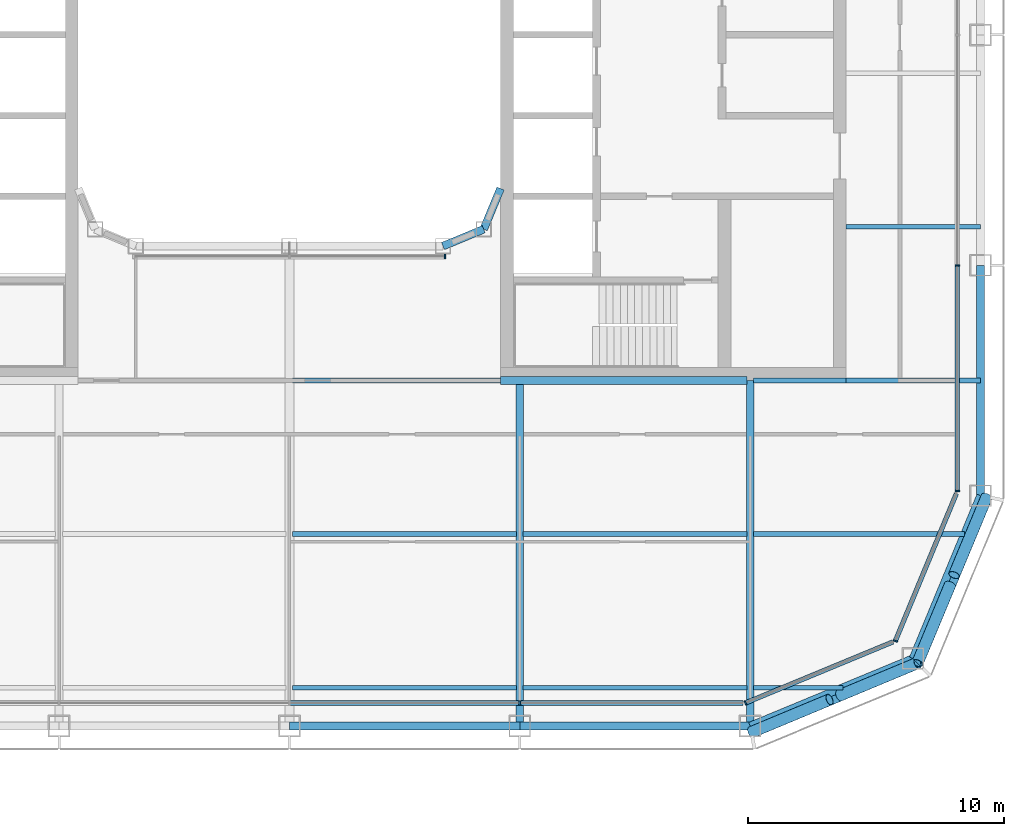
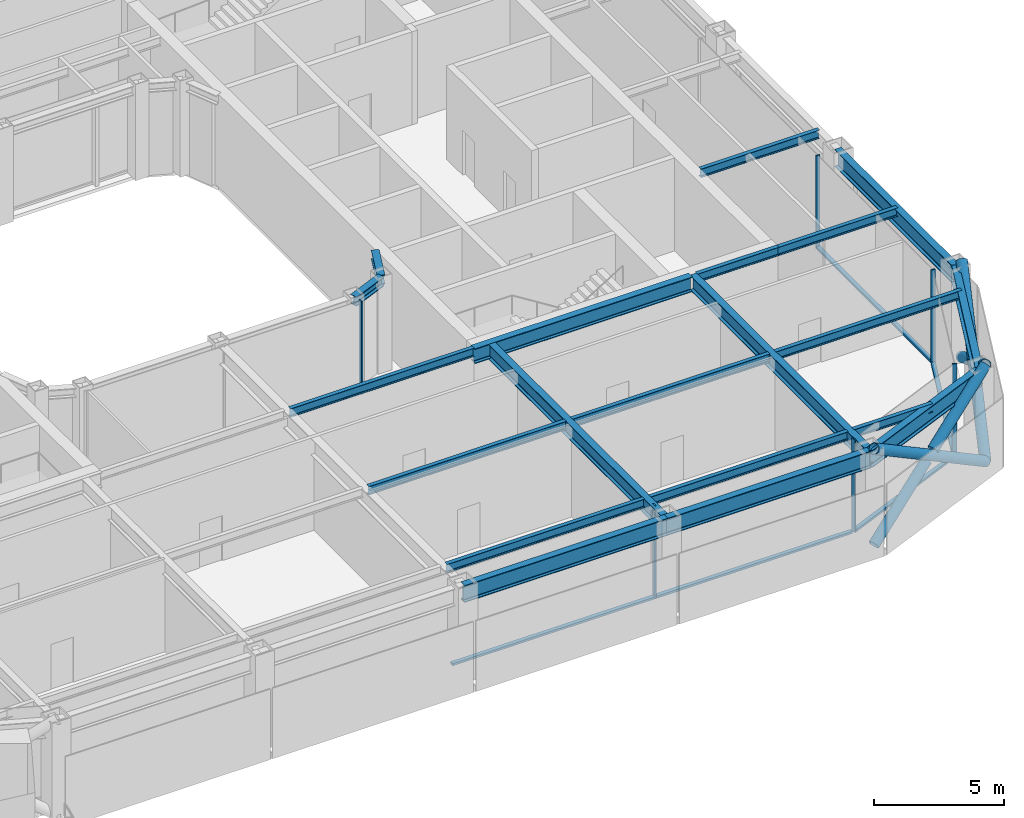
# One storey, part 4 of 23: 20 beams, 17 members, 5 elements without a shape of their own.
"""IFC4 building model written with IfcOpenShell, lengths in metres."""

from ifc_helpers import new_model, si_unit, direction, frame, origin, origin_2d, place, context, subcontext, project, spatial, rectangle, hollow_circle, i_section, extrude, material, layer, layer_set, material_profile, profile_set, type_object, element, aggregate, save


model = new_model("IFC4")

# Units and contexts
model_context = context("Model", 3, precision=1e-05, world=origin(), true_north=direction((0.0, 1.0)))
body_context = subcontext(model_context, "Body", "Model", "MODEL_VIEW")
ifc_project = project(units=[si_unit("LENGTHUNIT", "METRE"), si_unit("AREAUNIT", "SQUARE_METRE"), si_unit("VOLUMEUNIT", "CUBIC_METRE"), si_unit("PLANEANGLEUNIT", "RADIAN"), si_unit("MASSUNIT", "GRAM", prefix="KILO")], contexts=[model_context])

# Site, building, storey
site_placement = place(None, origin())
site = spatial("IfcSite", under=ifc_project, at=site_placement, CompositionType="ELEMENT")
building_placement = place(site_placement, origin())
building = spatial("IfcBuilding", under=site, at=building_placement, Name="Siwar Civic Tower", CompositionType="ELEMENT")
storey_placement = place(building_placement, frame((0.0, 0.0, 197.199951171875)))
storey = spatial("IfcBuildingStorey", under=building, at=storey_placement, Name="L42", CompositionType="ELEMENT", Elevation=197.199951171875)

# Curtain wall, member
ifc_material_1 = material(Name="Aluminium and glass", Category="aluminium")
ifc_layer_1 = layer(ifc_material_1, 0.179931640625)
ifc_layer_set_1 = layer_set([ifc_layer_1], Name="Aluminium and glass")
curtain_wall_type_1 = type_object("IfcCurtainWallType", Name="ENV-CW-C", PredefinedType="NOTDEFINED", material=ifc_layer_set_1)
curtain_wall_1_placement = place(storey_placement, origin())
curtain_wall_1 = element("IfcCurtainWall", 1, at=curtain_wall_1_placement, inside=storey, type_object=curtain_wall_type_1, Name="Curtain wall C S", PredefinedType="NOTDEFINED")
ifc_material_2 = material(Name="Aluminium 6063-T6", Category="aluminium")
ifc_material_profile_1 = material_profile(ifc_material_2, rectangle(XDim=0.179931640625, YDim=0.06005859375, at=origin_2d()), Name="AL 180x60")
ifc_profile_set_1 = profile_set([ifc_material_profile_1], Name="Aluminium 6063-T6")
member_type_1 = type_object("IfcMemberType", Name="ENV-MULLION-C", PredefinedType="MULLION", material=ifc_profile_set_1)
member_1_placement = place(storey_placement, frame((9.0, -26.10009765625, 0.0), z_axis=(0.0, 0.0, 1.0), x_axis=(0.0, 1.0, 0.0)))
member_1 = element("IfcMember", 2, at=member_1_placement, type_object=member_type_1, Name="Mullion C S 4", PredefinedType="MULLION", context=body_context, shape_type="SweptSolid", body=[
    extrude(rectangle(XDim=0.179931640625, YDim=0.06005859375, at=origin_2d()), origin(), (0.0, 0.0, 1.0), 4.35009765625),
])

ifc_material_3 = material(Name="Aluminium clad insulated panel", Category="aluminium")
ifc_layer_2 = layer(ifc_material_3, 0.179931640625)
ifc_layer_set_2 = layer_set([ifc_layer_2], Name="Aluminium clad insulated panel")
curtain_wall_type_2 = type_object("IfcCurtainWallType", Name="ENV-CW-CX", PredefinedType="NOTDEFINED", material=ifc_layer_set_2)
curtain_wall_2_placement = place(storey_placement, origin())
curtain_wall_2 = element("IfcCurtainWall", 3, at=curtain_wall_2_placement, inside=storey, type_object=curtain_wall_type_2, Name="Curtain wall C SE1", PredefinedType="NOTDEFINED")
member_2_placement = place(storey_placement, frame((17.821044921875, -26.10009765625, 0.0), z_axis=(0.0, 0.0, 1.0), x_axis=(-0.382683432365, 0.923879532511, 0.0)))
member_2 = element("IfcMember", 4, at=member_2_placement, type_object=member_type_1, Name="Mullion C SE1 1", PredefinedType="MULLION", context=body_context, shape_type="SweptSolid", body=[
    extrude(rectangle(XDim=0.179931640625, YDim=0.06005859375, at=origin_2d()), origin(), (0.0, 0.0, 1.0), 4.35009765625),
])

curtain_wall_3_placement = place(storey_placement, origin())
curtain_wall_3 = element("IfcCurtainWall", 5, at=curtain_wall_3_placement, inside=storey, type_object=curtain_wall_type_2, Name="Curtain wall C SE2", PredefinedType="NOTDEFINED")
member_3_placement = place(storey_placement, frame((23.675048828125, -23.675048828125, 0.0), z_axis=(0.0, 0.0, 1.0), x_axis=(-0.923879532511, 0.382683432365, 0.0)))
member_3 = element("IfcMember", 6, at=member_3_placement, type_object=member_type_1, Name="Mullion C SE2 1", PredefinedType="MULLION", context=body_context, shape_type="SweptSolid", body=[
    extrude(rectangle(XDim=0.179931640625, YDim=0.06005859375, at=origin_2d()), origin(), (0.0, 0.0, 1.0), 4.35009765625),
])

# Curtain wall, members
curtain_wall_4_placement = place(storey_placement, origin())
curtain_wall_4 = element("IfcCurtainWall", 7, at=curtain_wall_4_placement, inside=storey, type_object=curtain_wall_type_1, Name="Curtain wall C E", PredefinedType="NOTDEFINED")
member_4_placement = place(storey_placement, frame((26.10009765625, -17.821044921875, 0.0), z_axis=(0.0, 0.0, 1.0), x_axis=(-1.0, 0.0, 0.0)))
member_4 = element("IfcMember", 8, at=member_4_placement, type_object=member_type_1, Name="Mullion C E 1", PredefinedType="MULLION", context=body_context, shape_type="SweptSolid", body=[
    extrude(rectangle(XDim=0.179931640625, YDim=0.06005859375, at=origin_2d()), origin(), (0.0, 0.0, 1.0), 4.35009765625),
])
member_5_placement = place(storey_placement, frame((26.10009765625, -9.0, 0.0), z_axis=(0.0, 0.0, 1.0), x_axis=(-1.0, 0.0, 0.0)))
member_5 = element("IfcMember", 9, at=member_5_placement, type_object=member_type_1, Name="Mullion C E 2", PredefinedType="MULLION", context=body_context, shape_type="SweptSolid", body=[
    extrude(rectangle(XDim=0.179931640625, YDim=0.06005859375, at=origin_2d()), origin(), (0.0, 0.0, 1.0), 4.35009765625),
])

# Curtain wall, member
ifc_material_4 = material(Name="Aluminium and glass", Category="aluminium")
ifc_layer_3 = layer(ifc_material_4, 0.179931640625)
ifc_layer_set_3 = layer_set([ifc_layer_3], Name="Aluminium and glass")
curtain_wall_type_3 = type_object("IfcCurtainWallType", Name="ENV-CW-W", PredefinedType="NOTDEFINED", material=ifc_layer_set_3)
curtain_wall_5_placement = place(storey_placement, origin())
curtain_wall_5 = element("IfcCurtainWall", 10, at=curtain_wall_5_placement, inside=storey, type_object=curtain_wall_type_3, Name="Curtain wall W WS", PredefinedType="NOTDEFINED")
ifc_material_5 = material(Name="Aluminium 6063-T6", Category="aluminium")
ifc_material_profile_2 = material_profile(ifc_material_5, rectangle(XDim=0.179931640625, YDim=0.06005859375, at=origin_2d()), Name="AL 180x60")
ifc_profile_set_2 = profile_set([ifc_material_profile_2], Name="Aluminium 6063-T6")
member_type_2 = type_object("IfcMemberType", Name="ENV-MULLION-W", PredefinedType="MULLION", material=ifc_profile_set_2)
member_6_placement = place(storey_placement, frame((6.08154296875, -8.659912109375, 0.0), z_axis=(0.0, 0.0, 1.0), x_axis=(0.0, 1.0, 0.0)))
member_6 = element("IfcMember", 11, at=member_6_placement, type_object=member_type_2, Name="Mullion W WS 3", PredefinedType="MULLION", context=body_context, shape_type="SweptSolid", body=[
    extrude(rectangle(XDim=0.179931640625, YDim=0.06005859375, at=origin_2d()), origin(), (0.0, 0.0, 1.0), 4.35009765625),
])
aggregate(curtain_wall_5, [member_6])

# Member
ifc_material_6 = material(Name="Aluminium 6063-T6", Category="aluminium")
ifc_material_profile_3 = material_profile(ifc_material_6, rectangle(XDim=0.179931640625, YDim=0.10009765625, at=origin_2d()), Name="AL 180x100")
ifc_profile_set_3 = profile_set([ifc_material_profile_3], Name="Aluminium 6063-T6")
member_type_3 = type_object("IfcMemberType", Name="ENV-TRANSOM-C", PredefinedType="USERDEFINED", material=ifc_profile_set_3)
member_7_placement = place(storey_placement, frame((0.030029296875, -26.10009765625, 0.050048828125), z_axis=(1.0, 0.0, 0.0), x_axis=(0.0, 1.0, 0.0)))
member_7 = element("IfcMember", 12, at=member_7_placement, type_object=member_type_3, Name="Transom C S 3", ObjectType="TRANSOM", PredefinedType="USERDEFINED", context=body_context, shape_type="SweptSolid", body=[
    extrude(rectangle(XDim=0.179931640625, YDim=0.10009765625, at=origin_2d()), origin(), (0.0, 0.0, 1.0), 8.93994140625),
])

member_8_placement = place(storey_placement, frame((9.030029296875, -26.10009765625, 0.050048828125), z_axis=(1.0, 0.0, 0.0), x_axis=(0.0, 1.0, 0.0)))
member_8 = element("IfcMember", 13, at=member_8_placement, type_object=member_type_3, Name="Transom C S 4", ObjectType="TRANSOM", PredefinedType="USERDEFINED", context=body_context, shape_type="SweptSolid", body=[
    extrude(rectangle(XDim=0.179931640625, YDim=0.10009765625, at=origin_2d()), origin(), (0.0, 0.0, 1.0), 8.68603515625),
])

aggregate(curtain_wall_1, [member_1, member_7, member_8])

member_9_placement = place(storey_placement, frame((17.8486328125, -26.088623046875, 0.050048828125), z_axis=(0.923882011223, 0.38267744817, 0.0), x_axis=(-0.38267744817, 0.923882011223, 0.0)))
member_9 = element("IfcMember", 14, at=member_9_placement, type_object=member_type_3, Name="Transom C SE1 1", ObjectType="TRANSOM", PredefinedType="USERDEFINED", context=body_context, shape_type="SweptSolid", body=[
    extrude(rectangle(XDim=0.179931640625, YDim=0.10009765625, at=origin_2d()), origin(), (0.0, 0.0, 1.0), 6.201904296875),
])

aggregate(curtain_wall_2, [member_2, member_9])

member_10_placement = place(storey_placement, frame((23.6865234375, -23.6474609375, 0.050048828125), z_axis=(0.382691366456, 0.923876246063, 0.0), x_axis=(-0.923876246063, 0.382691366456, 0.0)))
member_10 = element("IfcMember", 15, at=member_10_placement, type_object=member_type_3, Name="Transom C SE2 1", ObjectType="TRANSOM", PredefinedType="USERDEFINED", context=body_context, shape_type="SweptSolid", body=[
    extrude(rectangle(XDim=0.179931640625, YDim=0.10009765625, at=origin_2d()), origin(), (0.0, 0.0, 1.0), 6.20166015625),
])

aggregate(curtain_wall_3, [member_3, member_10])

member_11_placement = place(storey_placement, frame((26.10009765625, -17.791015625, 0.050048828125), z_axis=(0.0, 1.0, 0.0), x_axis=(-1.0, 0.0, 0.0)))
member_11 = element("IfcMember", 16, at=member_11_placement, type_object=member_type_3, Name="Transom C E 1", ObjectType="TRANSOM", PredefinedType="USERDEFINED", context=body_context, shape_type="SweptSolid", body=[
    extrude(rectangle(XDim=0.179931640625, YDim=0.10009765625, at=origin_2d()), origin(), (0.0, 0.0, 1.0), 8.760986328125),
])

aggregate(curtain_wall_4, [member_4, member_5, member_11])

# Members
ifc_material_7 = material(Name="Steel S355", Category="steel")
ifc_material_profile_4 = material_profile(ifc_material_7, hollow_circle(Radius=0.228515625, WallThickness=0.02001953125, at=origin_2d()), Name="CHS457x20")
ifc_profile_set_4 = profile_set([ifc_material_profile_4], Name="Steel S355")
member_type_4 = type_object("IfcMemberType", Name="STR-BR-CHS457x20", PredefinedType="BRACE", material=ifc_profile_set_4)
member_12_placement = place(storey_placement, frame((24.540771484375, -24.540771484375, 0.0), z_axis=(0.323905527954, 0.777554562952, 0.538975055633), x_axis=(-0.923108759191, 0.384538969033, 0.0)))
element("IfcMember", 17, at=member_12_placement, inside=storey, type_object=member_type_4, Name="L42/brc/CSE1-2-0-1", PredefinedType="BRACE", context=body_context, shape_type="SweptSolid", body=[
    extrude(hollow_circle(Radius=0.228515625, WallThickness=0.02001953125, at=origin_2d()), origin(), (0.0, 0.0, 1.0), 8.34912109375),
])
for number, where, z_axis, x_axis, name in (
    (18, (27.2451171875, -18.048828125, 0.0), (-0.323884455881, -0.777546448489, 0.538999424564), (0.92311621485, -0.38452107079, 0.0), "L42/brc/CSE1-2-0-2"),
    (19, (25.81298828125, -21.486572265625, 2.383056640625), (-0.323895306243, -0.777572496853, 0.538955325357), (0.92311621485, -0.38452107079, 0.0), "L42/brc/CSE1-2-0-3"),
):
    element("IfcMember", number, at=place(storey_placement, frame(where, z_axis=z_axis, x_axis=x_axis)), inside=storey, type_object=member_type_4, Name=name, PredefinedType="BRACE", context=body_context, shape_type="SweptSolid", body=[
        extrude(hollow_circle(Radius=0.228515625, WallThickness=0.02001953125, at=origin_2d()), origin(), (0.0, 0.0, 1.0), 3.927978515625),
    ])
member_13_placement = place(storey_placement, frame((24.540771484375, -24.540771484375, 0.0), z_axis=(-0.777554562952, -0.323905527954, 0.538975055633), x_axis=(0.384538969033, -0.923108759191, 0.0)))
element("IfcMember", 20, at=member_13_placement, inside=storey, type_object=member_type_4, Name="L42/brc/CSE1-2-0-0", PredefinedType="BRACE", context=body_context, shape_type="SweptSolid", body=[
    extrude(hollow_circle(Radius=0.228515625, WallThickness=0.02001953125, at=origin_2d()), origin(), (0.0, 0.0, 1.0), 8.34912109375),
])
for number, where, z_axis, x_axis, name in (
    (21, (18.048828125, -27.2451171875, 0.0), (0.777546448489, 0.323884455881, 0.538999424564), (-0.38452107079, 0.92311621485, 0.0), "L42/brc/CSE1-2-0-4"),
    (22, (21.486572265625, -25.81298828125, 2.383056640625), (0.777572496853, 0.323895306243, 0.538955325357), (-0.38452107079, 0.92311621485, 0.0), "L42/brc/CSE1-2-0-5"),
):
    element("IfcMember", number, at=place(storey_placement, frame(where, z_axis=z_axis, x_axis=x_axis)), inside=storey, type_object=member_type_4, Name=name, PredefinedType="BRACE", context=body_context, shape_type="SweptSolid", body=[
        extrude(hollow_circle(Radius=0.228515625, WallThickness=0.02001953125, at=origin_2d()), origin(), (0.0, 0.0, 1.0), 3.927978515625),
    ])

# Beams
ifc_material_8 = material(Name="Steel S355", Category="steel")
ifc_material_profile_5 = material_profile(ifc_material_8, i_section(OverallWidth=0.179931640625, OverallDepth=0.39990234375, WebThickness=0.008544921875, FlangeThickness=0.013427734375, FilletRadius=0.02099609375, at=origin_2d()), Name="IPE400")
ifc_profile_set_5 = profile_set([ifc_material_profile_5], Name="Steel S355")
beam_type_1 = type_object("IfcBeamType", Name="STR-FB-IPE400", PredefinedType="JOIST", material=ifc_profile_set_5)
for number, where, z_axis, x_axis, name in (
    (23, (0.1298828125, -25.5, 4.150146484375), (1.0, 0.0, 0.0), (0.0, 1.0, 0.0), "L42/bm/F004"),
    (24, (9.1298828125, -25.5, 4.150146484375), (1.0, 0.0, 0.0), (0.0, 1.0, 0.0), "L42/bm/F005"),
):
    element("IfcBeam", number, at=place(storey_placement, frame(where, z_axis=z_axis, x_axis=x_axis)), inside=storey, type_object=beam_type_1, Name=name, PredefinedType="JOIST", context=body_context, shape_type="SweptSolid", body=[
        extrude(i_section(OverallWidth=0.179931640625, OverallDepth=0.39990234375, WebThickness=0.008544921875, FlangeThickness=0.013427734375, FilletRadius=0.02099609375, at=origin_2d()), origin(), (0.0, 0.0, 1.0), 8.740234375),
    ])
beam_1_placement = place(storey_placement, frame((18.1298828125, -25.5, 4.150146484375), z_axis=(1.0, 0.0, 0.0), x_axis=(0.0, 1.0, 0.0)))
element("IfcBeam", 25, at=beam_1_placement, inside=storey, type_object=beam_type_1, Name="L42/bm/F006", PredefinedType="JOIST", context=body_context, shape_type="SweptSolid", body=[
    extrude(i_section(OverallWidth=0.179931640625, OverallDepth=0.39990234375, WebThickness=0.008544921875, FlangeThickness=0.013427734375, FilletRadius=0.02099609375, at=origin_2d()), origin(), (0.0, 0.0, 1.0), 3.491455078125),
])
for number, where, z_axis, x_axis, name in (
    (26, (0.1298828125, -19.5, 4.150146484375), (1.0, 0.0, 0.0), (0.0, 1.0, 0.0), "L42/bm/F010"),
    (27, (9.1298828125, -19.5, 4.150146484375), (1.0, 0.0, 0.0), (0.0, 1.0, 0.0), "L42/bm/F011"),
):
    element("IfcBeam", number, at=place(storey_placement, frame(where, z_axis=z_axis, x_axis=x_axis)), inside=storey, type_object=beam_type_1, Name=name, PredefinedType="JOIST", context=body_context, shape_type="SweptSolid", body=[
        extrude(i_section(OverallWidth=0.179931640625, OverallDepth=0.39990234375, WebThickness=0.008544921875, FlangeThickness=0.013427734375, FilletRadius=0.02099609375, at=origin_2d()), origin(), (0.0, 0.0, 1.0), 8.740234375),
    ])
beam_2_placement = place(storey_placement, frame((18.1298828125, -19.5, 4.150146484375), z_axis=(1.0, 0.0, 0.0), x_axis=(0.0, 1.0, 0.0)))
element("IfcBeam", 28, at=beam_2_placement, inside=storey, type_object=beam_type_1, Name="L42/bm/F012", PredefinedType="JOIST", context=body_context, shape_type="SweptSolid", body=[
    extrude(i_section(OverallWidth=0.179931640625, OverallDepth=0.39990234375, WebThickness=0.008544921875, FlangeThickness=0.013427734375, FilletRadius=0.02099609375, at=origin_2d()), origin(), (0.0, 0.0, 1.0), 8.248779296875),
])
beam_3_placement = place(storey_placement, frame((0.1298828125, -13.5, 4.150146484375), z_axis=(1.0, 0.0, 0.0), x_axis=(0.0, 1.0, 0.0)))
element("IfcBeam", 29, at=beam_3_placement, inside=storey, type_object=beam_type_1, Name="L42/bm/F017", PredefinedType="JOIST", context=body_context, shape_type="SweptSolid", body=[
    extrude(i_section(OverallWidth=0.179931640625, OverallDepth=0.39990234375, WebThickness=0.008544921875, FlangeThickness=0.013427734375, FilletRadius=0.02099609375, at=origin_2d()), origin(), (0.0, 0.0, 1.0), 8.1201171875),
])
beam_4_placement = place(storey_placement, frame((18.1298828125, -13.5, 4.150146484375), z_axis=(1.0, 0.0, 0.0), x_axis=(0.0, 1.0, 0.0)))
element("IfcBeam", 30, at=beam_4_placement, inside=storey, type_object=beam_type_1, Name="L42/bm/F019", PredefinedType="JOIST", context=body_context, shape_type="SweptSolid", body=[
    extrude(i_section(OverallWidth=0.179931640625, OverallDepth=0.39990234375, WebThickness=0.008544921875, FlangeThickness=0.013427734375, FilletRadius=0.02099609375, at=origin_2d()), origin(), (0.0, 0.0, 1.0), 3.6201171875),
])
for number, where, z_axis, x_axis, name in (
    (31, (21.75, -13.5, 4.150146484375), (1.0, 0.0, 0.0), (0.0, 1.0, 0.0), "L42/bm/F020"),
    (32, (21.75, -7.5, 4.150146484375), (1.0, 0.0, 0.0), (0.0, 1.0, 0.0), "L42/bm/F022"),
):
    element("IfcBeam", number, at=place(storey_placement, frame(where, z_axis=z_axis, x_axis=x_axis)), inside=storey, type_object=beam_type_1, Name=name, PredefinedType="JOIST", context=body_context, shape_type="SweptSolid", body=[
        extrude(i_section(OverallWidth=0.179931640625, OverallDepth=0.39990234375, WebThickness=0.008544921875, FlangeThickness=0.013427734375, FilletRadius=0.02099609375, at=origin_2d()), origin(), (0.0, 0.0, 1.0), 5.25),
    ])
ifc_material_9 = material(Name="Steel S355", Category="steel")
ifc_material_profile_6 = material_profile(ifc_material_9, i_section(OverallWidth=0.300048828125, OverallDepth=0.699951171875, WebThickness=0.01708984375, FlangeThickness=0.031982421875, FilletRadius=0.027099609375, at=origin_2d()), Name="HEB700")
ifc_profile_set_6 = profile_set([ifc_material_profile_6], Name="Steel S355")
beam_type_2 = type_object("IfcBeamType", Name="STR-PG-HEB700", PredefinedType="BEAM", material=ifc_profile_set_6)
for number, where, z_axis, x_axis, name in (
    (33, (9.0, -27.0, 4.0), (0.0, 1.0, 0.0), (-1.0, 0.0, 0.0), "L42/bm/G07"),
    (34, (18.0, -27.0, 4.0), (0.0, 1.0, 0.0), (-1.0, 0.0, 0.0), "L42/bm/G09"),
):
    element("IfcBeam", number, at=place(storey_placement, frame(where, z_axis=z_axis, x_axis=x_axis)), inside=storey, type_object=beam_type_2, Name=name, PredefinedType="BEAM", context=body_context, shape_type="SweptSolid", body=[
        extrude(i_section(OverallWidth=0.300048828125, OverallDepth=0.699951171875, WebThickness=0.01708984375, FlangeThickness=0.031982421875, FilletRadius=0.027099609375, at=origin_2d()), origin(), (0.0, 0.0, 1.0), 13.5),
    ])
beam_5_placement = place(storey_placement, frame((8.25, -13.5, 4.0), z_axis=(1.0, 0.0, 0.0), x_axis=(0.0, 1.0, 0.0)))
element("IfcBeam", 35, at=beam_5_placement, inside=storey, type_object=beam_type_2, Name="L42/bm/F018", PredefinedType="BEAM", context=body_context, shape_type="SweptSolid", body=[
    extrude(i_section(OverallWidth=0.300048828125, OverallDepth=0.699951171875, WebThickness=0.01708984375, FlangeThickness=0.031982421875, FilletRadius=0.027099609375, at=origin_2d()), origin(), (0.0, 0.0, 1.0), 9.6201171875),
])
ifc_material_10 = material(Name="Steel S355", Category="steel")
ifc_material_profile_7 = material_profile(ifc_material_10, i_section(OverallWidth=0.306884765625, OverallDepth=0.431884765625, WebThickness=0.02099609375, FlangeThickness=0.0400390625, FilletRadius=0.027099609375, at=origin_2d()), Name="HEM400")
ifc_profile_set_7 = profile_set([ifc_material_profile_7], Name="Steel S355")
beam_type_3 = type_object("IfcBeamType", Name="STR-RB-HEM400", PredefinedType="BEAM", material=ifc_profile_set_7)
for number, where, z_axis, x_axis, name in (
    (36, (6.0, -8.25, 4.134033203125), (0.923901072997, 0.382631424892, 0.0), (-0.382631424892, 0.923901072997, 0.0), "L42/bm/RS3"),
    (37, (7.591064453125, -7.591064453125, 4.134033203125), (0.382631424892, 0.923901072997, 0.0), (-0.923901072997, 0.382631424892, 0.0), "L42/bm/RSEE"),
):
    element("IfcBeam", number, at=place(storey_placement, frame(where, z_axis=z_axis, x_axis=x_axis)), inside=storey, type_object=beam_type_3, Name=name, PredefinedType="BEAM", context=body_context, shape_type="SweptSolid", body=[
        extrude(i_section(OverallWidth=0.306884765625, OverallDepth=0.431884765625, WebThickness=0.02099609375, FlangeThickness=0.0400390625, FilletRadius=0.027099609375, at=origin_2d()), origin(), (0.0, 0.0, 1.0), 1.72216796875),
    ])
ifc_material_11 = material(Name="Steel S355", Category="steel")
ifc_material_profile_8 = material_profile(ifc_material_11, i_section(OverallWidth=0.300048828125, OverallDepth=0.800048828125, WebThickness=0.017578125, FlangeThickness=0.032958984375, FilletRadius=0.030029296875, at=origin_2d()), Name="HEB800")
ifc_profile_set_8 = profile_set([ifc_material_profile_8], Name="Steel S355")
beam_type_4 = type_object("IfcBeamType", Name="STR-SB-HEB800", PredefinedType="BEAM", material=ifc_profile_set_8)
for number, where, z_axis, x_axis, name in (
    (38, (0.0, -27.0, 3.949951171875), (1.0, 0.0, 0.0), (0.0, 1.0, 0.0), "L42/bm/SS-2"),
    (39, (9.0, -27.0, 3.949951171875), (1.0, 0.0, 0.0), (0.0, 1.0, 0.0), "L42/bm/SS-3"),
):
    element("IfcBeam", number, at=place(storey_placement, frame(where, z_axis=z_axis, x_axis=x_axis)), inside=storey, type_object=beam_type_4, Name=name, PredefinedType="BEAM", context=body_context, shape_type="SweptSolid", body=[
        extrude(i_section(OverallWidth=0.300048828125, OverallDepth=0.800048828125, WebThickness=0.017578125, FlangeThickness=0.032958984375, FilletRadius=0.030029296875, at=origin_2d()), origin(), (0.0, 0.0, 1.0), 9.0),
    ])
for number, where, z_axis, x_axis, name in (
    (40, (18.0, -27.0, 3.949951171875), (0.923883353507, 0.382674207535, 0.0), (-0.382674207535, 0.923883353507, 0.0), "L42/bm/SSE1-0"),
    (41, (24.364013671875, -24.364013671875, 3.949951171875), (0.382674207535, 0.923883353507, 0.0), (-0.923883353507, 0.382674207535, 0.0), "L42/bm/SSE2-0"),
):
    element("IfcBeam", number, at=place(storey_placement, frame(where, z_axis=z_axis, x_axis=x_axis)), inside=storey, type_object=beam_type_4, Name=name, PredefinedType="BEAM", context=body_context, shape_type="SweptSolid", body=[
        extrude(i_section(OverallWidth=0.300048828125, OverallDepth=0.800048828125, WebThickness=0.017578125, FlangeThickness=0.032958984375, FilletRadius=0.030029296875, at=origin_2d()), origin(), (0.0, 0.0, 1.0), 6.888427734375),
    ])
beam_6_placement = place(storey_placement, frame((27.0, -18.0, 3.949951171875), z_axis=(0.0, 1.0, 0.0), x_axis=(-1.0, 0.0, 0.0)))
element("IfcBeam", 42, at=beam_6_placement, inside=storey, type_object=beam_type_4, Name="L42/bm/SE-0", PredefinedType="BEAM", context=body_context, shape_type="SweptSolid", body=[
    extrude(i_section(OverallWidth=0.300048828125, OverallDepth=0.800048828125, WebThickness=0.017578125, FlangeThickness=0.032958984375, FilletRadius=0.030029296875, at=origin_2d()), origin(), (0.0, 0.0, 1.0), 9.0),
])

save(model, "model.ifc")
